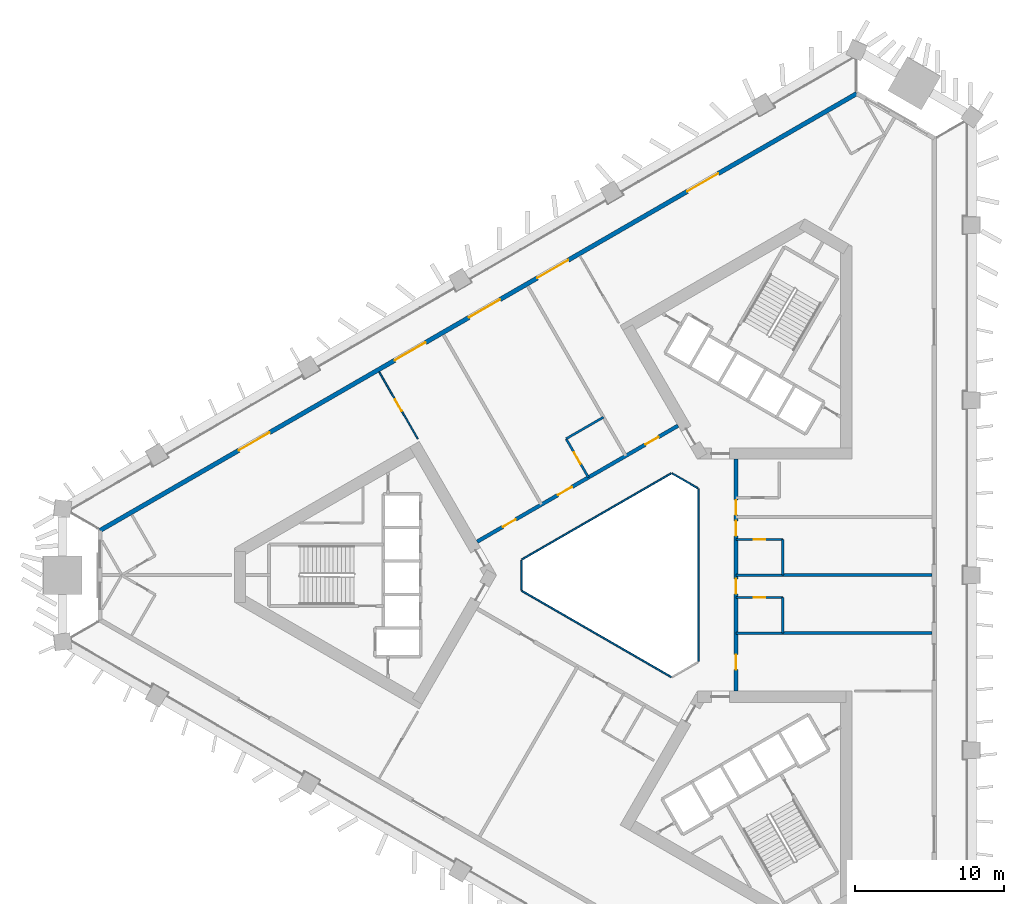
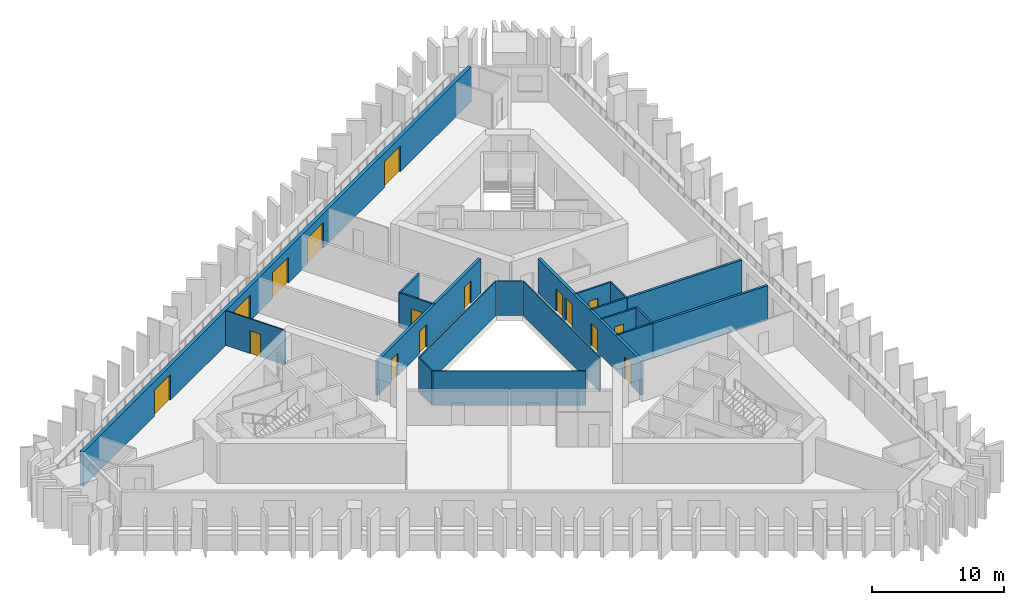
# One storey, part 5 of 11: 19 walls, 16 doors, 16 openings.
"""IFC4 building model written with IfcOpenShell, lengths in metres."""

from ifc_helpers import new_model, si_unit, direction, frame, frame_2d, origin, place, context, subcontext, project, spatial, rectangle, extrude, material, layer, layer_set, type_object, element, fill, save


model = new_model("IFC4")

# Units and contexts
model_context = context("Model", 3, precision=1e-05, world=origin(), true_north=direction((0.0, 1.0)))
body_context = subcontext(model_context, "Body", "Model", "MODEL_VIEW")
ifc_project = project(units=[si_unit("LENGTHUNIT", "METRE"), si_unit("AREAUNIT", "SQUARE_METRE"), si_unit("VOLUMEUNIT", "CUBIC_METRE"), si_unit("PLANEANGLEUNIT", "RADIAN"), si_unit("MASSUNIT", "GRAM", prefix="KILO")], contexts=[model_context])

# Site, building, storey
site_placement = place(None, origin())
site = spatial("IfcSite", under=ifc_project, at=site_placement, CompositionType="ELEMENT")
building_placement = place(site_placement, origin())
building = spatial("IfcBuilding", under=site, at=building_placement, Name="Jabali Bay Hotel Tower and Convention Centre", CompositionType="ELEMENT")
storey_placement = place(building_placement, frame((0.0, 0.0, 83.199951171875)))
storey = spatial("IfcBuildingStorey", under=building, at=storey_placement, Name="L19", CompositionType="ELEMENT", Elevation=83.199951171875)

# Walls
ifc_material_1 = material(Name="Fire-resistant glazing", Category="glass")
ifc_layer_1 = layer(ifc_material_1, 0.10009765625)
ifc_layer_set_1 = layer_set([ifc_layer_1], Name="Fire-resistant glazing")
wall_type_1 = type_object("IfcWallType", Name="Atrium glazed screen 100", PredefinedType="PARTITIONING", material=ifc_layer_set_1)
wall_1_placement = place(storey_placement, frame((79.56005859375, 74.205810546875, 0.0), z_axis=(0.0, 0.0, 1.0), x_axis=(0.0, 1.0, 0.0)))
element("IfcWall", 1, at=wall_1_placement, inside=storey, type_object=wall_type_1, Name="Atrium screen 1 L19", PredefinedType="PARTITIONING", context=body_context, shape_type="SweptSolid", body=[
    extrude(rectangle(XDim=11.58837890625, YDim=0.10009765625, at=frame_2d((5.794189453125, 0.0))), origin(), (0.0, 0.0, 1.0), 3.199951171875),
])
wall_2_placement = place(storey_placement, frame((79.530029296875, 85.84619140625, 0.0), z_axis=(0.0, 0.0, 1.0), x_axis=(-0.866041268327, 0.499972520799, 0.0)))
element("IfcWall", 2, at=wall_2_placement, inside=storey, type_object=wall_type_1, Name="Atrium screen 2 L19", PredefinedType="PARTITIONING", context=body_context, shape_type="SweptSolid", body=[
    extrude(rectangle(XDim=2.0, YDim=0.10009765625, at=frame_2d((1.0, 0.0))), origin(), (0.0, 0.0, 1.0), 3.199951171875),
])
wall_3_placement = place(storey_placement, frame((77.738037109375, 86.84619140625, 0.0), z_axis=(0.0, 0.0, 1.0), x_axis=(-0.866026658274, -0.499997827154, 0.0)))
element("IfcWall", 3, at=wall_3_placement, inside=storey, type_object=wall_type_1, Name="Atrium screen 3 L19", PredefinedType="PARTITIONING", context=body_context, shape_type="SweptSolid", body=[
    extrude(rectangle(XDim=11.58837890625, YDim=0.10009765625, at=frame_2d((5.794189453125, 0.0))), origin(), (0.0, 0.0, 1.0), 3.199951171875),
])
wall_4_placement = place(storey_placement, frame((67.672119140625, 81.0, 0.0), z_axis=(0.0, 0.0, 1.0), x_axis=(0.0, -1.0, 0.0)))
element("IfcWall", 4, at=wall_4_placement, inside=storey, type_object=wall_type_1, Name="Atrium screen 4 L19", PredefinedType="PARTITIONING", context=body_context, shape_type="SweptSolid", body=[
    extrude(rectangle(XDim=2.0, YDim=0.10009765625, at=frame_2d((1.0, 0.0))), origin(), (0.0, 0.0, 1.0), 3.199951171875),
])
wall_5_placement = place(storey_placement, frame((67.7021484375, 78.947998046875, 0.0), z_axis=(0.0, 0.0, 1.0), x_axis=(0.866026658274, -0.499997827154, 0.0)))
element("IfcWall", 5, at=wall_5_placement, inside=storey, type_object=wall_type_1, Name="Atrium screen 5 L19", PredefinedType="PARTITIONING", context=body_context, shape_type="SweptSolid", body=[
    extrude(rectangle(XDim=11.58837890625, YDim=0.10009765625, at=frame_2d((5.794189453125, 0.0))), origin(), (0.0, 0.0, 1.0), 3.199951171875),
])

# Wall, openings, doors
ifc_material_2 = material(Name="Concrete C60", Category="concrete")
ifc_layer_2 = layer(ifc_material_2, 0.25)
ifc_layer_set_2 = layer_set([ifc_layer_2], Name="Concrete C60")
wall_type_2 = type_object("IfcWallType", Name="Corridor wall 250", PredefinedType="SHEAR", material=ifc_layer_set_2)
wall_6_placement = place(storey_placement, frame((82.10009765625, 72.205810546875, 0.0), z_axis=(0.0, 0.0, 1.0), x_axis=(0.0, 1.0, 0.0)))
wall_6 = element("IfcWall", 6, at=wall_6_placement, inside=storey, type_object=wall_type_2, Name="Corridor wall 1 L19", PredefinedType="SHEAR", context=body_context, shape_type="SweptSolid", body=[
    extrude(rectangle(XDim=15.58837890625, YDim=0.25, at=frame_2d((7.794189453125, 0.0))), origin(), (0.0, 0.0, 1.0), 3.199951171875),
])
opening_1_placement = place(wall_6_placement, frame((1.448486328125, 0.0, 0.0)))
opening_1 = element("IfcOpeningElement", 7, at=opening_1_placement, cuts=wall_6, Name="Opening 1901", PredefinedType="OPENING", context=body_context, shape_type="SweptSolid", body=[
    extrude(rectangle(XDim=1.0, YDim=2.10009765625, at=frame_2d((0.5, 1.050048828125))), frame((0.0, 0.135498046875, 0.0), z_axis=(0.0, -1.0, 0.0), x_axis=(1.0, 0.0, 0.0)), (0.0, 0.0, 1.0), 0.27099609375),
])
opening_2_placement = place(wall_6_placement, frame((6.544189453125, 0.0, 0.0)))
opening_2 = element("IfcOpeningElement", 8, at=opening_2_placement, cuts=wall_6, Name="Opening 1905", PredefinedType="OPENING", context=body_context, shape_type="SweptSolid", body=[
    extrude(rectangle(XDim=1.0, YDim=2.10009765625, at=frame_2d((0.5, 1.050048828125))), frame((0.0, 0.135498046875, 0.0), z_axis=(0.0, -1.0, 0.0), x_axis=(1.0, 0.0, 0.0)), (0.0, 0.0, 1.0), 0.27099609375),
])
opening_3_placement = place(wall_6_placement, frame((10.44140625, 0.0, 0.0)))
opening_3 = element("IfcOpeningElement", 9, at=opening_3_placement, cuts=wall_6, Name="Opening 1907", PredefinedType="OPENING", context=body_context, shape_type="SweptSolid", body=[
    extrude(rectangle(XDim=1.0, YDim=2.10009765625, at=frame_2d((0.5, 1.050048828125))), frame((0.0, 0.135498046875, 0.0), z_axis=(0.0, -1.0, 0.0), x_axis=(1.0, 0.0, 0.0)), (0.0, 0.0, 1.0), 0.27099609375),
])
opening_4_placement = place(wall_6_placement, frame((11.84130859375, 0.0, 0.0)))
opening_4 = element("IfcOpeningElement", 10, at=opening_4_placement, cuts=wall_6, Name="Opening 1909", PredefinedType="OPENING", context=body_context, shape_type="SweptSolid", body=[
    extrude(rectangle(XDim=1.0, YDim=2.10009765625, at=frame_2d((0.5, 1.050048828125))), frame((0.0, 0.135498046875, 0.0), z_axis=(0.0, -1.0, 0.0), x_axis=(1.0, 0.0, 0.0)), (0.0, 0.0, 1.0), 0.27099609375),
])
ifc_material_3 = material(Name="Timber", Category="wood")
door_type_1 = type_object("IfcDoorType", Name="Guest room door 1000 x 2100", OperationType="NOTDEFINED", PredefinedType="NOTDEFINED", material=ifc_material_3)
door_1_placement = place(opening_1_placement, origin())
door_1 = element("IfcDoor", 11, at=door_1_placement, inside=storey, type_object=door_type_1, Name="Door 1901", OperationType="SINGLE_SWING_LEFT", OverallHeight=2.10009765625, OverallWidth=1.0, PredefinedType="NOTDEFINED", context=body_context, shape_type="SweptSolid", body=[
    extrude(rectangle(XDim=1.0, YDim=2.10009765625, at=frame_2d((0.5, 1.050048828125))), frame((0.0, 0.02490234375, 0.0), z_axis=(0.0, -1.0, 0.0), x_axis=(1.0, 0.0, 0.0)), (0.0, 0.0, 1.0), 0.050048828125),
])
fill(opening_1, door_1)
door_2_placement = place(opening_2_placement, origin())
door_2 = element("IfcDoor", 12, at=door_2_placement, inside=storey, type_object=door_type_1, Name="Door 1905", OperationType="SINGLE_SWING_LEFT", OverallHeight=2.10009765625, OverallWidth=1.0, PredefinedType="NOTDEFINED", context=body_context, shape_type="SweptSolid", body=[
    extrude(rectangle(XDim=1.0, YDim=2.10009765625, at=frame_2d((0.5, 1.050048828125))), frame((0.0, 0.02490234375, 0.0), z_axis=(0.0, -1.0, 0.0), x_axis=(1.0, 0.0, 0.0)), (0.0, 0.0, 1.0), 0.050048828125),
])
fill(opening_2, door_2)
door_3_placement = place(opening_3_placement, origin())
door_3 = element("IfcDoor", 13, at=door_3_placement, inside=storey, type_object=door_type_1, Name="Door 1907", OperationType="SINGLE_SWING_RIGHT", OverallHeight=2.10009765625, OverallWidth=1.0, PredefinedType="NOTDEFINED", context=body_context, shape_type="SweptSolid", body=[
    extrude(rectangle(XDim=1.0, YDim=2.10009765625, at=frame_2d((0.5, 1.050048828125))), frame((0.0, 0.02490234375, 0.0), z_axis=(0.0, -1.0, 0.0), x_axis=(1.0, 0.0, 0.0)), (0.0, 0.0, 1.0), 0.050048828125),
])
fill(opening_3, door_3)
door_4_placement = place(opening_4_placement, origin())
door_4 = element("IfcDoor", 14, at=door_4_placement, inside=storey, type_object=door_type_1, Name="Door 1909", OperationType="SINGLE_SWING_RIGHT", OverallHeight=2.10009765625, OverallWidth=1.0, PredefinedType="NOTDEFINED", context=body_context, shape_type="SweptSolid", body=[
    extrude(rectangle(XDim=1.0, YDim=2.10009765625, at=frame_2d((0.5, 1.050048828125))), frame((0.0, 0.02490234375, 0.0), z_axis=(0.0, -1.0, 0.0), x_axis=(1.0, 0.0, 0.0)), (0.0, 0.0, 1.0), 0.050048828125),
])
fill(opening_4, door_4)

wall_7_placement = place(storey_placement, frame((78.199951171875, 90.0458984375, 0.0), z_axis=(0.0, 0.0, 1.0), x_axis=(-0.866026492143, -0.499998114903, 0.0)))
wall_7 = element("IfcWall", 15, at=wall_7_placement, inside=storey, type_object=wall_type_2, Name="Corridor wall 2 L19", PredefinedType="SHEAR", context=body_context, shape_type="SweptSolid", body=[
    extrude(rectangle(XDim=15.58837890625, YDim=0.25, at=frame_2d((7.794189453125, 0.0))), origin(), (0.0, 0.0, 1.0), 3.199951171875),
])
opening_5_placement = place(wall_7_placement, frame((1.526611328125, 0.0, 0.0)))
opening_5 = element("IfcOpeningElement", 16, at=opening_5_placement, cuts=wall_7, Name="Opening 1910", PredefinedType="OPENING", context=body_context, shape_type="SweptSolid", body=[
    extrude(rectangle(XDim=1.0, YDim=2.10009765625, at=frame_2d((0.5, 1.050048828125))), frame((0.0, 0.135498046875, 0.0), z_axis=(0.0, -1.0, 0.0), x_axis=(1.0, 0.0, 0.0)), (0.0, 0.0, 1.0), 0.27099609375),
])
opening_6_placement = place(wall_7_placement, frame((8.2265625, 0.0, 0.0)))
opening_6 = element("IfcOpeningElement", 17, at=opening_6_placement, cuts=wall_7, Name="Opening 1914", PredefinedType="OPENING", context=body_context, shape_type="SweptSolid", body=[
    extrude(rectangle(XDim=1.10009765625, YDim=2.10009765625, at=frame_2d((0.550048828125, 1.050048828125))), frame((0.0, 0.135498046875, 0.0), z_axis=(0.0, -1.0, 0.0), x_axis=(1.0, 0.0, 0.0)), (0.0, 0.0, 1.0), 0.27099609375),
])
opening_7_placement = place(wall_7_placement, frame((12.59423828125, 0.0, 0.0)))
opening_7 = element("IfcOpeningElement", 18, at=opening_7_placement, cuts=wall_7, Name="Opening 1915", PredefinedType="OPENING", context=body_context, shape_type="SweptSolid", body=[
    extrude(rectangle(XDim=1.0, YDim=2.10009765625, at=frame_2d((0.5, 1.050048828125))), frame((0.0, 0.135498046875, 0.0), z_axis=(0.0, -1.0, 0.0), x_axis=(1.0, 0.0, 0.0)), (0.0, 0.0, 1.0), 0.27099609375),
])
door_type_2 = type_object("IfcDoorType", Name="Accessible guest room door 1100 x 2100", OperationType="NOTDEFINED", PredefinedType="NOTDEFINED", material=ifc_material_3)
door_5_placement = place(opening_6_placement, origin())
door_5 = element("IfcDoor", 19, at=door_5_placement, inside=storey, type_object=door_type_2, Name="Door 1914", OperationType="SINGLE_SWING_RIGHT", OverallHeight=2.10009765625, OverallWidth=1.10009765625, PredefinedType="NOTDEFINED", context=body_context, shape_type="SweptSolid", body=[
    extrude(rectangle(XDim=1.10009765625, YDim=2.10009765625, at=frame_2d((0.550048828125, 1.050048828125))), frame((0.0, 0.02490234375, 0.0), z_axis=(0.0, -1.0, 0.0), x_axis=(1.0, 0.0, 0.0)), (0.0, 0.0, 1.0), 0.050048828125),
])
fill(opening_6, door_5)
door_6_placement = place(opening_5_placement, origin())
door_6 = element("IfcDoor", 20, at=door_6_placement, inside=storey, type_object=door_type_1, Name="Door 1910", OperationType="SINGLE_SWING_LEFT", OverallHeight=2.10009765625, OverallWidth=1.0, PredefinedType="NOTDEFINED", context=body_context, shape_type="SweptSolid", body=[
    extrude(rectangle(XDim=1.0, YDim=2.10009765625, at=frame_2d((0.5, 1.050048828125))), frame((0.0, 0.02490234375, 0.0), z_axis=(0.0, -1.0, 0.0), x_axis=(1.0, 0.0, 0.0)), (0.0, 0.0, 1.0), 0.050048828125),
])
fill(opening_5, door_6)
door_7_placement = place(opening_7_placement, origin())
door_7 = element("IfcDoor", 21, at=door_7_placement, inside=storey, type_object=door_type_1, Name="Door 1915", OperationType="SINGLE_SWING_RIGHT", OverallHeight=2.10009765625, OverallWidth=1.0, PredefinedType="NOTDEFINED", context=body_context, shape_type="SweptSolid", body=[
    extrude(rectangle(XDim=1.0, YDim=2.10009765625, at=frame_2d((0.5, 1.050048828125))), frame((0.0, 0.02490234375, 0.0), z_axis=(0.0, -1.0, 0.0), x_axis=(1.0, 0.0, 0.0)), (0.0, 0.0, 1.0), 0.050048828125),
])
fill(opening_7, door_7)

ifc_material_4 = material(Name="Concrete C40", Category="concrete")
ifc_layer_3 = layer(ifc_material_4, 0.300048828125)
ifc_layer_set_3 = layer_set([ifc_layer_3], Name="Concrete C40")
wall_type_3 = type_object("IfcWallType", Name="External wall 300", PredefinedType="SOLIDWALL", material=ifc_layer_set_3)
wall_8_placement = place(storey_placement, frame((39.353271484375, 83.005126953125, 0.0), z_axis=(0.0, 0.0, 1.0), x_axis=(0.866025832118, 0.499999258104, 0.0)))
wall_8 = element("IfcWall", 22, at=wall_8_placement, inside=storey, type_object=wall_type_3, Name="External wall north-west face L19", PredefinedType="SOLIDWALL", context=body_context, shape_type="SweptSolid", body=[
    extrude(rectangle(XDim=58.73681640625, YDim=0.300048828125, at=frame_2d((29.368408203125, 0.0))), origin(), (0.0, 0.0, 1.0), 3.199951171875),
])
opening_8_placement = place(wall_8_placement, frame((28.635986328125, 0.0, 0.0)))
opening_8 = element("IfcOpeningElement", 23, at=opening_8_placement, cuts=wall_8, Name="Opening SD1", PredefinedType="OPENING", context=body_context, shape_type="SweptSolid", body=[
    extrude(rectangle(XDim=2.39990234375, YDim=2.39990234375, at=frame_2d((1.199951171875, 1.199951171875))), frame((0.0, 0.16064453125, 0.0), z_axis=(0.0, -1.0, 0.0), x_axis=(1.0, 0.0, 0.0)), (0.0, 0.0, 1.0), 0.321044921875),
])
opening_9_placement = place(wall_8_placement, frame((33.93603515625, 0.0, 0.0)))
opening_9 = element("IfcOpeningElement", 24, at=opening_9_placement, cuts=wall_8, Name="Opening SD1", PredefinedType="OPENING", context=body_context, shape_type="SweptSolid", body=[
    extrude(rectangle(XDim=2.39990234375, YDim=2.39990234375, at=frame_2d((1.199951171875, 1.199951171875))), frame((0.0, 0.16064453125, 0.0), z_axis=(0.0, -1.0, 0.0), x_axis=(1.0, 0.0, 0.0)), (0.0, 0.0, 1.0), 0.321044921875),
])
opening_10_placement = place(wall_8_placement, frame((45.574951171875, 0.0, 0.0)))
opening_10 = element("IfcOpeningElement", 25, at=opening_10_placement, cuts=wall_8, Name="Opening SD1", PredefinedType="OPENING", context=body_context, shape_type="SweptSolid", body=[
    extrude(rectangle(XDim=2.39990234375, YDim=2.39990234375, at=frame_2d((1.199951171875, 1.199951171875))), frame((0.0, 0.16064453125, 0.0), z_axis=(0.0, -1.0, 0.0), x_axis=(1.0, 0.0, 0.0)), (0.0, 0.0, 1.0), 0.321044921875),
])
opening_11_placement = place(wall_8_placement, frame((22.868408203125, 0.0, 0.0)))
opening_11 = element("IfcOpeningElement", 26, at=opening_11_placement, cuts=wall_8, Name="Opening SD1", PredefinedType="OPENING", context=body_context, shape_type="SweptSolid", body=[
    extrude(rectangle(XDim=2.39990234375, YDim=2.39990234375, at=frame_2d((1.199951171875, 1.199951171875))), frame((0.0, 0.16064453125, 0.0), z_axis=(0.0, -1.0, 0.0), x_axis=(1.0, 0.0, 0.0)), (0.0, 0.0, 1.0), 0.321044921875),
])
opening_12_placement = place(wall_8_placement, frame((10.76513671875, 0.0, 0.0)))
opening_12 = element("IfcOpeningElement", 27, at=opening_12_placement, cuts=wall_8, Name="Opening SD1", PredefinedType="OPENING", context=body_context, shape_type="SweptSolid", body=[
    extrude(rectangle(XDim=2.39990234375, YDim=2.39990234375, at=frame_2d((1.199951171875, 1.199951171875))), frame((0.0, 0.16064453125, 0.0), z_axis=(0.0, -1.0, 0.0), x_axis=(1.0, 0.0, 0.0)), (0.0, 0.0, 1.0), 0.321044921875),
])
ifc_material_5 = material(Name="Glass", Category="glass")
door_type_3 = type_object("IfcDoorType", Name="Loggia sliding door 2400 x 2400", OperationType="NOTDEFINED", PredefinedType="NOTDEFINED", material=ifc_material_5)
door_8_placement = place(opening_8_placement, origin())
door_8 = element("IfcDoor", 28, at=door_8_placement, inside=storey, type_object=door_type_3, Name="Loggia sliding door 1906", OperationType="SLIDING_TO_LEFT", OverallHeight=2.39990234375, OverallWidth=2.39990234375, PredefinedType="NOTDEFINED", context=body_context, shape_type="SweptSolid", body=[
    extrude(rectangle(XDim=2.39990234375, YDim=2.39990234375, at=frame_2d((1.199951171875, 1.199951171875))), frame((0.0, 0.02490234375, 0.0), z_axis=(0.0, -1.0, 0.0), x_axis=(1.0, 0.0, 0.0)), (0.0, 0.0, 1.0), 0.050048828125),
])
fill(opening_8, door_8)
door_9_placement = place(opening_9_placement, origin())
door_9 = element("IfcDoor", 29, at=door_9_placement, inside=storey, type_object=door_type_3, Name="Loggia sliding door 1905", OperationType="SLIDING_TO_RIGHT", OverallHeight=2.39990234375, OverallWidth=2.39990234375, PredefinedType="NOTDEFINED", context=body_context, shape_type="SweptSolid", body=[
    extrude(rectangle(XDim=2.39990234375, YDim=2.39990234375, at=frame_2d((1.199951171875, 1.199951171875))), frame((0.0, 0.02490234375, 0.0), z_axis=(0.0, -1.0, 0.0), x_axis=(1.0, 0.0, 0.0)), (0.0, 0.0, 1.0), 0.050048828125),
])
fill(opening_9, door_9)
door_10_placement = place(opening_10_placement, origin())
door_10 = element("IfcDoor", 30, at=door_10_placement, inside=storey, type_object=door_type_3, Name="Loggia sliding door 1905", OperationType="SLIDING_TO_LEFT", OverallHeight=2.39990234375, OverallWidth=2.39990234375, PredefinedType="NOTDEFINED", context=body_context, shape_type="SweptSolid", body=[
    extrude(rectangle(XDim=2.39990234375, YDim=2.39990234375, at=frame_2d((1.199951171875, 1.199951171875))), frame((0.0, 0.02490234375, 0.0), z_axis=(0.0, -1.0, 0.0), x_axis=(1.0, 0.0, 0.0)), (0.0, 0.0, 1.0), 0.050048828125),
])
fill(opening_10, door_10)
door_11_placement = place(opening_11_placement, origin())
door_11 = element("IfcDoor", 31, at=door_11_placement, inside=storey, type_object=door_type_3, Name="Loggia sliding door 1907", OperationType="SLIDING_TO_RIGHT", OverallHeight=2.39990234375, OverallWidth=2.39990234375, PredefinedType="NOTDEFINED", context=body_context, shape_type="SweptSolid", body=[
    extrude(rectangle(XDim=2.39990234375, YDim=2.39990234375, at=frame_2d((1.199951171875, 1.199951171875))), frame((0.0, 0.02490234375, 0.0), z_axis=(0.0, -1.0, 0.0), x_axis=(1.0, 0.0, 0.0)), (0.0, 0.0, 1.0), 0.050048828125),
])
fill(opening_11, door_11)
door_12_placement = place(opening_12_placement, origin())
door_12 = element("IfcDoor", 32, at=door_12_placement, inside=storey, type_object=door_type_3, Name="Loggia sliding door 1907", OperationType="SLIDING_TO_LEFT", OverallHeight=2.39990234375, OverallWidth=2.39990234375, PredefinedType="NOTDEFINED", context=body_context, shape_type="SweptSolid", body=[
    extrude(rectangle(XDim=2.39990234375, YDim=2.39990234375, at=frame_2d((1.199951171875, 1.199951171875))), frame((0.0, 0.02490234375, 0.0), z_axis=(0.0, -1.0, 0.0), x_axis=(1.0, 0.0, 0.0)), (0.0, 0.0, 1.0), 0.050048828125),
])
fill(opening_12, door_12)

# Wall, opening, door
ifc_material_6 = material(Name="Plasterboard on steel stud", Category="steel")
ifc_layer_4 = layer(ifc_material_6, 0.10009765625)
ifc_layer_set_4 = layer_set([ifc_layer_4], Name="Plasterboard on steel stud")
wall_type_4 = type_object("IfcWallType", Name="Partition 100 unit", PredefinedType="PARTITIONING", material=ifc_layer_set_4)
wall_9_placement = place(storey_placement, frame((58.111572265625, 93.663330078125, 0.0), z_axis=(0.0, 0.0, 1.0), x_axis=(0.499973171224, -0.866040892832, 0.0)))
wall_9 = element("IfcWall", 33, at=wall_9_placement, inside=storey, type_object=wall_type_4, Name="Partition P02 L19 026", PredefinedType="PARTITIONING", context=body_context, shape_type="SweptSolid", body=[
    extrude(rectangle(XDim=5.197998046875, YDim=0.10009765625, at=frame_2d((2.59912109375, 0.0))), origin(), (0.0, 0.0, 1.0), 3.199951171875),
])
opening_13_placement = place(wall_9_placement, frame((2.14892578125, 0.0, 0.0)))
opening_13 = element("IfcOpeningElement", 34, at=opening_13_placement, cuts=wall_9, Name="Opening 1916", PredefinedType="OPENING", context=body_context, shape_type="SweptSolid", body=[
    extrude(rectangle(XDim=0.89990234375, YDim=2.10009765625, at=frame_2d((0.449951171875, 1.050048828125))), frame((0.0, 0.060546875, 0.0), z_axis=(0.0, -1.0, 0.0), x_axis=(1.0, 0.0, 0.0)), (0.0, 0.0, 1.0), 0.12109375),
])
door_type_4 = type_object("IfcDoorType", Name="Internal door 900 x 2100", OperationType="NOTDEFINED", PredefinedType="NOTDEFINED", material=ifc_material_3)
door_13_placement = place(opening_13_placement, origin())
door_13 = element("IfcDoor", 35, at=door_13_placement, inside=storey, type_object=door_type_4, Name="Door 1916", OperationType="SINGLE_SWING_RIGHT", OverallHeight=2.10009765625, OverallWidth=0.89990234375, PredefinedType="NOTDEFINED", context=body_context, shape_type="SweptSolid", body=[
    extrude(rectangle(XDim=0.89990234375, YDim=2.10009765625, at=frame_2d((0.449951171875, 1.050048828125))), frame((0.0, 0.02490234375, 0.0), z_axis=(0.0, -1.0, 0.0), x_axis=(1.0, 0.0, 0.0)), (0.0, 0.0, 1.0), 0.050048828125),
])
fill(opening_13, door_13)

# Wall
ifc_layer_5 = layer(ifc_material_6, 0.14990234375)
ifc_layer_set_5 = layer_set([ifc_layer_5], Name="Plasterboard on steel stud")
wall_type_5 = type_object("IfcWallType", Name="Partition 150 wet", PredefinedType="PARTITIONING", material=ifc_layer_set_5)
wall_10_placement = place(storey_placement, frame((85.245361328125, 76.102783203125, 0.0), z_axis=(0.0, 0.0, 1.0), x_axis=(-1.0, 0.0, 0.0)))
element("IfcWall", 36, at=wall_10_placement, inside=storey, type_object=wall_type_5, Name="Partition P03 L19 003", PredefinedType="PARTITIONING", context=body_context, shape_type="SweptSolid", body=[
    extrude(rectangle(XDim=3.145263671875, YDim=0.14990234375, at=frame_2d((1.57275390625, 0.0))), origin(), (0.0, 0.0, 1.0), 3.199951171875),
])

# Wall, opening, door
wall_11_placement = place(storey_placement, frame((82.10009765625, 78.5, 0.0), z_axis=(0.0, 0.0, 1.0), x_axis=(1.0, 0.0, 0.0)))
wall_11 = element("IfcWall", 37, at=wall_11_placement, inside=storey, type_object=wall_type_5, Name="Partition P03 L19 008", PredefinedType="PARTITIONING", context=body_context, shape_type="SweptSolid", body=[
    extrude(rectangle(XDim=3.145263671875, YDim=0.14990234375, at=frame_2d((1.57275390625, 0.0))), origin(), (0.0, 0.0, 1.0), 3.199951171875),
])
opening_14_placement = place(wall_11_placement, frame((1.173095703125, 0.0, 0.0)))
opening_14 = element("IfcOpeningElement", 38, at=opening_14_placement, cuts=wall_11, Name="Opening 1904", PredefinedType="OPENING", context=body_context, shape_type="SweptSolid", body=[
    extrude(rectangle(XDim=0.800048828125, YDim=2.10009765625, at=frame_2d((0.39990234375, 1.050048828125))), frame((0.0, 0.08544921875, 0.0), z_axis=(0.0, -1.0, 0.0), x_axis=(1.0, 0.0, 0.0)), (0.0, 0.0, 1.0), 0.1708984375),
])
door_type_5 = type_object("IfcDoorType", Name="En-suite door 800 x 2100", OperationType="NOTDEFINED", PredefinedType="NOTDEFINED", material=ifc_material_3)
door_14_placement = place(opening_14_placement, origin())
door_14 = element("IfcDoor", 39, at=door_14_placement, inside=storey, type_object=door_type_5, Name="Door 1904", OperationType="SINGLE_SWING_RIGHT", OverallHeight=2.10009765625, OverallWidth=0.800048828125, PredefinedType="NOTDEFINED", context=body_context, shape_type="SweptSolid", body=[
    extrude(rectangle(XDim=0.800048828125, YDim=2.10009765625, at=frame_2d((0.39990234375, 1.050048828125))), frame((0.0, 0.02490234375, 0.0), z_axis=(0.0, -1.0, 0.0), x_axis=(1.0, 0.0, 0.0)), (0.0, 0.0, 1.0), 0.050048828125),
])
fill(opening_14, door_14)

# Walls
wall_12_placement = place(storey_placement, frame((85.245361328125, 78.5, 0.0), z_axis=(0.0, 0.0, 1.0), x_axis=(0.0, -1.0, 0.0)))
element("IfcWall", 40, at=wall_12_placement, inside=storey, type_object=wall_type_5, Name="Partition P03 L19 009", PredefinedType="PARTITIONING", context=body_context, shape_type="SweptSolid", body=[
    extrude(rectangle(XDim=2.397216796875, YDim=0.14990234375, at=frame_2d((1.19873046875, 0.0))), origin(), (0.0, 0.0, 1.0), 3.199951171875),
])
wall_13_placement = place(storey_placement, frame((85.245361328125, 80.0, 0.0), z_axis=(0.0, 0.0, 1.0), x_axis=(-1.0, 0.0, 0.0)))
element("IfcWall", 41, at=wall_13_placement, inside=storey, type_object=wall_type_5, Name="Partition P03 L19 011", PredefinedType="PARTITIONING", context=body_context, shape_type="SweptSolid", body=[
    extrude(rectangle(XDim=3.145263671875, YDim=0.14990234375, at=frame_2d((1.57275390625, 0.0))), origin(), (0.0, 0.0, 1.0), 3.199951171875),
])

# Wall, opening, door
wall_14_placement = place(storey_placement, frame((82.10009765625, 82.397216796875, 0.0), z_axis=(0.0, 0.0, 1.0), x_axis=(1.0, 0.0, 0.0)))
wall_14 = element("IfcWall", 42, at=wall_14_placement, inside=storey, type_object=wall_type_5, Name="Partition P03 L19 012", PredefinedType="PARTITIONING", context=body_context, shape_type="SweptSolid", body=[
    extrude(rectangle(XDim=3.145263671875, YDim=0.14990234375, at=frame_2d((1.57275390625, 0.0))), origin(), (0.0, 0.0, 1.0), 3.199951171875),
])
opening_15_placement = place(wall_14_placement, frame((1.173095703125, 0.0, 0.0)))
opening_15 = element("IfcOpeningElement", 43, at=opening_15_placement, cuts=wall_14, Name="Opening 1906", PredefinedType="OPENING", context=body_context, shape_type="SweptSolid", body=[
    extrude(rectangle(XDim=0.800048828125, YDim=2.10009765625, at=frame_2d((0.39990234375, 1.050048828125))), frame((0.0, 0.08544921875, 0.0), z_axis=(0.0, -1.0, 0.0), x_axis=(1.0, 0.0, 0.0)), (0.0, 0.0, 1.0), 0.1708984375),
])
door_15_placement = place(opening_15_placement, origin())
door_15 = element("IfcDoor", 44, at=door_15_placement, inside=storey, type_object=door_type_5, Name="Door 1906", OperationType="SINGLE_SWING_RIGHT", OverallHeight=2.10009765625, OverallWidth=0.800048828125, PredefinedType="NOTDEFINED", context=body_context, shape_type="SweptSolid", body=[
    extrude(rectangle(XDim=0.800048828125, YDim=2.10009765625, at=frame_2d((0.39990234375, 1.050048828125))), frame((0.0, 0.02490234375, 0.0), z_axis=(0.0, -1.0, 0.0), x_axis=(1.0, 0.0, 0.0)), (0.0, 0.0, 1.0), 0.050048828125),
])
fill(opening_15, door_15)

# Wall
wall_15_placement = place(storey_placement, frame((85.245361328125, 82.397216796875, 0.0), z_axis=(0.0, 0.0, 1.0), x_axis=(0.0, -1.0, 0.0)))
element("IfcWall", 45, at=wall_15_placement, inside=storey, type_object=wall_type_5, Name="Partition P03 L19 013", PredefinedType="PARTITIONING", context=body_context, shape_type="SweptSolid", body=[
    extrude(rectangle(XDim=2.397216796875, YDim=0.14990234375, at=frame_2d((1.19873046875, 0.0))), origin(), (0.0, 0.0, 1.0), 3.199951171875),
])

# Wall, opening, door
wall_16_placement = place(storey_placement, frame((72.178466796875, 86.5693359375, 0.0), z_axis=(0.0, 0.0, 1.0), x_axis=(-0.499990139034, 0.866031096941, 0.0)))
wall_16 = element("IfcWall", 46, at=wall_16_placement, inside=storey, type_object=wall_type_5, Name="Partition P03 L19 023", PredefinedType="PARTITIONING", context=body_context, shape_type="SweptSolid", body=[
    extrude(rectangle(XDim=3.0, YDim=0.14990234375, at=frame_2d((1.5, 0.0))), origin(), (0.0, 0.0, 1.0), 3.199951171875),
])
opening_16_placement = place(wall_16_placement, frame((1.050048828125, 0.0, 0.0)))
opening_16 = element("IfcOpeningElement", 47, at=opening_16_placement, cuts=wall_16, Name="Opening 1913", PredefinedType="OPENING", context=body_context, shape_type="SweptSolid", body=[
    extrude(rectangle(XDim=0.89990234375, YDim=2.10009765625, at=frame_2d((0.449951171875, 1.050048828125))), frame((0.0, 0.08544921875, 0.0), z_axis=(0.0, -1.0, 0.0), x_axis=(1.0, 0.0, 0.0)), (0.0, 0.0, 1.0), 0.1708984375),
])
door_type_6 = type_object("IfcDoorType", Name="Accessible en-suite door 900 x 2100", OperationType="NOTDEFINED", PredefinedType="NOTDEFINED", material=ifc_material_3)
door_16_placement = place(opening_16_placement, origin())
door_16 = element("IfcDoor", 48, at=door_16_placement, inside=storey, type_object=door_type_6, Name="Door 1913", OperationType="SINGLE_SWING_LEFT", OverallHeight=2.10009765625, OverallWidth=0.89990234375, PredefinedType="NOTDEFINED", context=body_context, shape_type="SweptSolid", body=[
    extrude(rectangle(XDim=0.89990234375, YDim=2.10009765625, at=frame_2d((0.449951171875, 1.050048828125))), frame((0.0, 0.02490234375, 0.0), z_axis=(0.0, -1.0, 0.0), x_axis=(1.0, 0.0, 0.0)), (0.0, 0.0, 1.0), 0.050048828125),
])
fill(opening_16, door_16)

# Walls
wall_17_placement = place(storey_placement, frame((70.678466796875, 89.16748046875, 0.0), z_axis=(0.0, 0.0, 1.0), x_axis=(0.866032775405, 0.499987231761, 0.0)))
element("IfcWall", 49, at=wall_17_placement, inside=storey, type_object=wall_type_5, Name="Partition P03 L19 024", PredefinedType="PARTITIONING", context=body_context, shape_type="SweptSolid", body=[
    extrude(rectangle(XDim=2.89990234375, YDim=0.14990234375, at=frame_2d((1.449951171875, 0.0))), origin(), (0.0, 0.0, 1.0), 3.199951171875),
])
ifc_layer_6 = layer(ifc_material_6, 0.199951171875)
ifc_layer_set_6 = layer_set([ifc_layer_6], Name="Plasterboard on steel stud")
wall_type_6 = type_object("IfcWallType", Name="Partition 200 party", PredefinedType="PARTITIONING", material=ifc_layer_set_6)
for number, where, z_axis, x_axis, name in (
    (50, (95.27685546875, 76.102783203125, 0.0), (0.0, 0.0, 1.0), (-1.0, 0.0, 0.0), "Partition P01 L19 002"),
    (51, (95.27685546875, 80.0, 0.0), (0.0, 0.0, 1.0), (-1.0, 0.0, 0.0), "Partition P01 L19 010"),
):
    element("IfcWall", number, at=place(storey_placement, frame(where, z_axis=z_axis, x_axis=x_axis)), inside=storey, type_object=wall_type_6, Name=name, PredefinedType="PARTITIONING", context=body_context, shape_type="SweptSolid", body=[
        extrude(rectangle(XDim=10.031494140625, YDim=0.199951171875, at=frame_2d((5.015625, 0.0))), origin(), (0.0, 0.0, 1.0), 3.199951171875),
    ])

save(model, "model.ifc")
